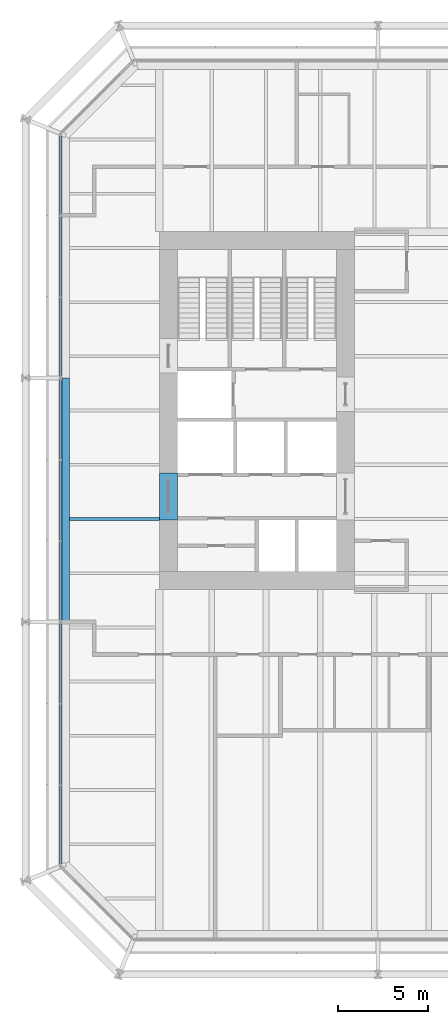
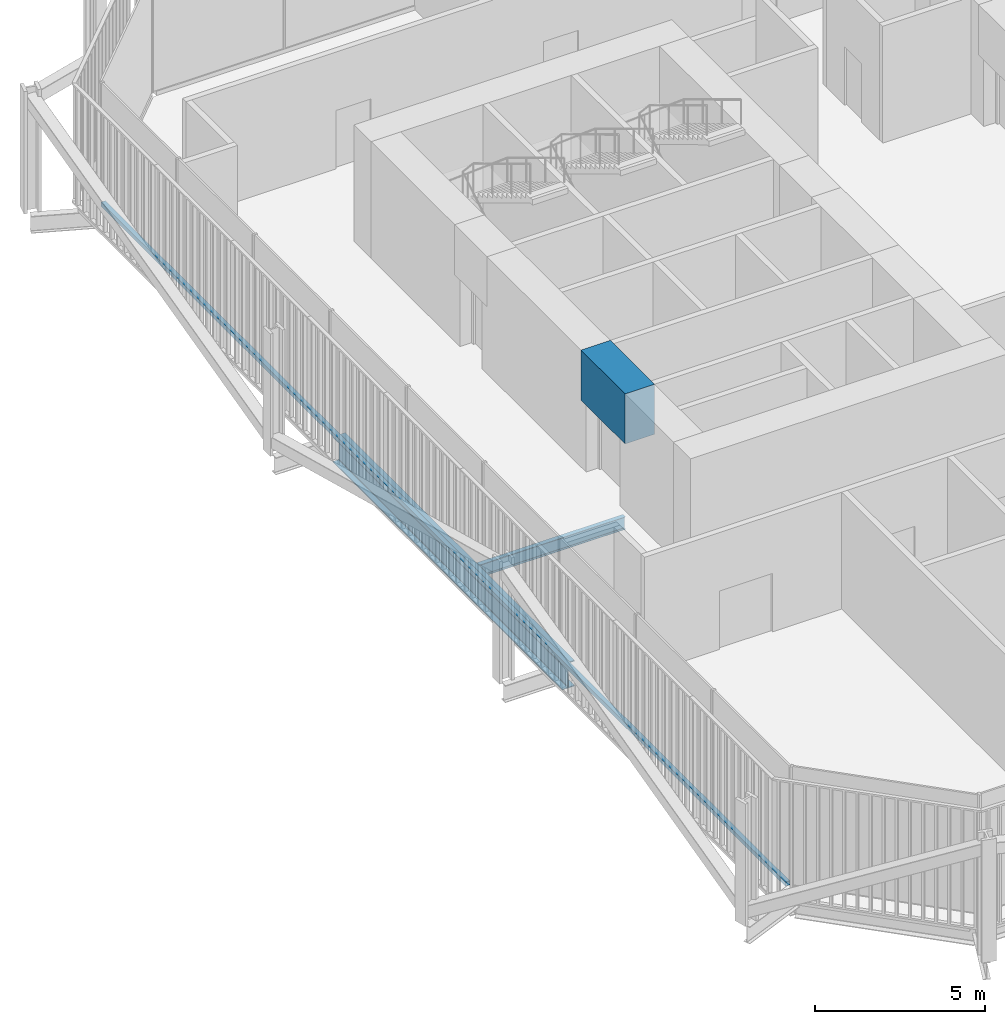
# One storey, part 6 of 21: 3 beams, 1 member, 1 element without a shape of its own.
"""IFC4 building model written with IfcOpenShell, lengths in metres."""

from ifc_helpers import new_model, si_unit, direction, frame, origin, origin_2d, place, context, subcontext, project, spatial, rectangle, i_section, extrude, material, layer, layer_set, material_profile, profile_set, type_object, element, aggregate, save


model = new_model("IFC4")

# Units and contexts
model_context = context("Model", 3, precision=1e-05, world=origin(), true_north=direction((0.0, 1.0)))
body_context = subcontext(model_context, "Body", "Model", "MODEL_VIEW")
ifc_project = project(units=[si_unit("LENGTHUNIT", "METRE"), si_unit("AREAUNIT", "SQUARE_METRE"), si_unit("VOLUMEUNIT", "CUBIC_METRE"), si_unit("PLANEANGLEUNIT", "RADIAN"), si_unit("MASSUNIT", "GRAM", prefix="KILO")], contexts=[model_context])

# Site, building, storey
site_placement = place(None, origin())
site = spatial("IfcSite", under=ifc_project, at=site_placement, CompositionType="ELEMENT")
building_placement = place(site_placement, origin())
building = spatial("IfcBuilding", under=site, at=building_placement, Name="Millrace Tower", CompositionType="ELEMENT")
storey_placement = place(building_placement, frame((0.0, 0.0, 90.800048828125)))
storey = spatial("IfcBuildingStorey", under=building, at=storey_placement, Name="L20", CompositionType="ELEMENT", Elevation=90.800048828125)

# Curtain wall, member
ifc_material_1 = material(Name="Aluminium and glass", Category="aluminium")
ifc_layer = layer(ifc_material_1, 0.14990234375)
ifc_layer_set = layer_set([ifc_layer], Name="Aluminium and glass")
curtain_wall_type = type_object("IfcCurtainWallType", Name="CW-3 telecom floor curtain wall", PredefinedType="NOTDEFINED", material=ifc_layer_set)
curtain_wall_placement = place(storey_placement, origin())
curtain_wall = element("IfcCurtainWall", 1, at=curtain_wall_placement, inside=storey, type_object=curtain_wall_type, Name="Curtain wall B-F08 L20", PredefinedType="NOTDEFINED")
ifc_material_2 = material(Name="Aluminium", Category="aluminium")
ifc_material_profile_1 = material_profile(ifc_material_2, rectangle(XDim=0.14990234375, YDim=0.14990234375, at=origin_2d()))
ifc_profile_set_1 = profile_set([ifc_material_profile_1], Name="Aluminium")
member_type = type_object("IfcMemberType", Name="CW-3 telecom floor curtain wall transom", PredefinedType="USERDEFINED", material=ifc_profile_set_1)
member_placement = place(storey_placement, frame((-20.375, 15.199951171875, 0.074951171875), z_axis=(0.0, -1.0, 0.0), x_axis=(1.0, 0.0, 0.0)))
member = element("IfcMember", 2, at=member_placement, type_object=member_type, Name="CW3 transom B-F08.1", ObjectType="TRANSOM", PredefinedType="USERDEFINED", context=body_context, shape_type="SweptSolid", body=[
    extrude(rectangle(XDim=0.14990234375, YDim=0.14990234375, at=origin_2d()), origin(), (0.0, 0.0, 1.0), 40.300048828125),
])
aggregate(curtain_wall, [member])

# Beams
ifc_material_3 = material(Name="Concrete C80", Category="concrete")
ifc_material_profile_2 = material_profile(ifc_material_3, rectangle(XDim=1.0, YDim=1.800048828125, at=origin_2d()))
ifc_profile_set_2 = profile_set([ifc_material_profile_2], Name="Concrete C80")
beam_type_1 = type_object("IfcBeamType", Name="Coupling beam 1000 x 1800 Concrete C80, 2000 opening", PredefinedType="BEAM", material=ifc_profile_set_2)
beam_1_placement = place(storey_placement, frame((-14.39990234375, -6.050048828125, 3.300048828125), z_axis=(0.0, 1.0, 0.0), x_axis=(-1.0, 0.0, 0.0)))
element("IfcBeam", 3, at=beam_1_placement, inside=storey, type_object=beam_type_1, Name="Coupling beam W L20", PredefinedType="BEAM", context=body_context, shape_type="SweptSolid", body=[
    extrude(rectangle(XDim=1.0, YDim=1.800048828125, at=origin_2d()), origin(), (0.0, 0.0, 1.0), 2.60009765625),
])
ifc_material_4 = material(Name="Steel ASTM A992 Grade 50", Category="steel")
ifc_material_profile_3 = material_profile(ifc_material_4, i_section(OverallWidth=0.15234375, OverallDepth=0.449462890625, WebThickness=0.007568359375, FlangeThickness=0.0107421875, FilletRadius=0.01025390625, at=origin_2d()))
ifc_profile_set_3 = profile_set([ifc_material_profile_3], Name="Steel ASTM A992 Grade 50")
beam_type_2 = type_object("IfcBeamType", Name="Floor beam W18x35", PredefinedType="JOIST", material=ifc_profile_set_3)
beam_2_placement = place(storey_placement, frame((-19.880859375, -6.0, -0.4248046875), z_axis=(1.0, 0.0, 0.0), x_axis=(0.0, 1.0, 0.0)))
element("IfcBeam", 4, at=beam_2_placement, inside=storey, type_object=beam_type_2, Name="BM-B-L20-S1-S017", PredefinedType="JOIST", context=body_context, shape_type="SweptSolid", body=[
    extrude(i_section(OverallWidth=0.15234375, OverallDepth=0.449462890625, WebThickness=0.007568359375, FlangeThickness=0.0107421875, FilletRadius=0.01025390625, at=origin_2d()), origin(), (0.0, 0.0, 1.0), 4.98095703125),
])
ifc_material_5 = material(Name="Steel ASTM A992 Grade 50", Category="steel")
ifc_material_profile_4 = material_profile(ifc_material_5, i_section(OverallWidth=0.419189453125, OverallDepth=0.927001953125, WebThickness=0.019287109375, FlangeThickness=0.031982421875, FilletRadius=0.024169921875, at=origin_2d()))
ifc_profile_set_4 = profile_set([ifc_material_profile_4], Name="Steel ASTM A992 Grade 50")
beam_type_3 = type_object("IfcBeamType", Name="Ring beam medium span W36x231", PredefinedType="SPANDREL", material=ifc_profile_set_4)
beam_3_placement = place(storey_placement, frame((-20.09033203125, -11.699951171875, -0.66357421875), z_axis=(0.0, 1.0, 0.0), x_axis=(-1.0, 0.0, 0.0)))
element("IfcBeam", 5, at=beam_3_placement, inside=storey, type_object=beam_type_3, Name="RNG-B-L20-S1-02", PredefinedType="SPANDREL", context=body_context, shape_type="SweptSolid", body=[
    extrude(i_section(OverallWidth=0.419189453125, OverallDepth=0.927001953125, WebThickness=0.019287109375, FlangeThickness=0.031982421875, FilletRadius=0.024169921875, at=origin_2d()), origin(), (0.0, 0.0, 1.0), 13.5),
])

save(model, "model.ifc")
